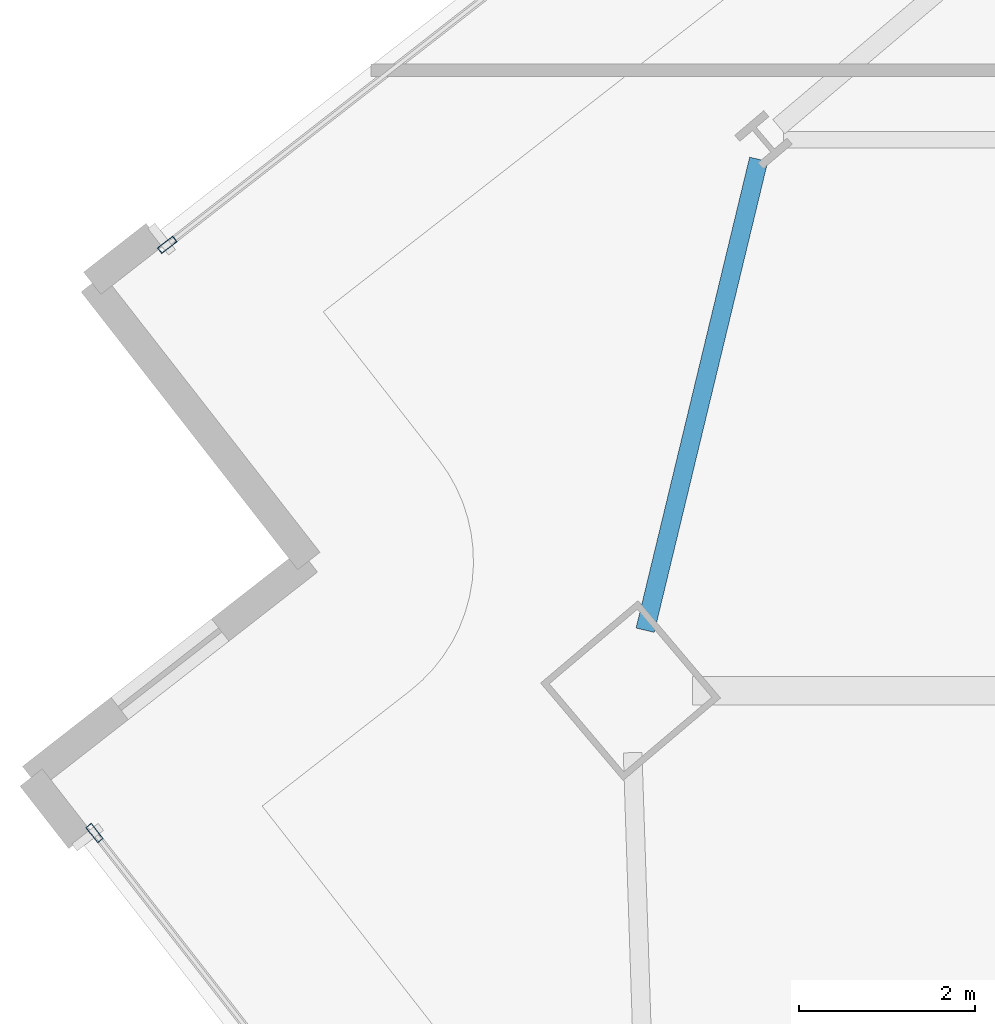
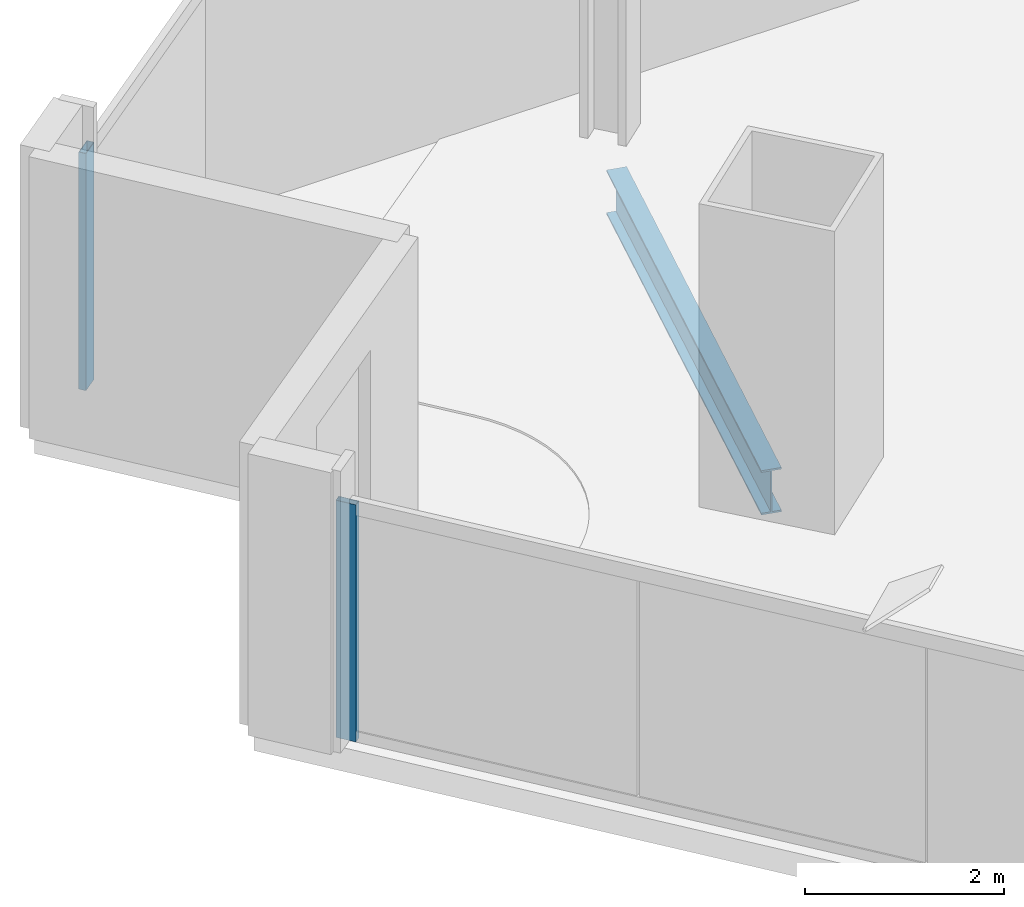
# One storey, part 12 of 32: 2 members, 1 beam, 2 elements without a shape of their own.
"""IFC4 building model written with IfcOpenShell, lengths in metres."""

from ifc_helpers import new_model, si_unit, direction, frame, origin, origin_2d, place, context, subcontext, project, spatial, hollow_rectangle, i_section, extrude, material, material_profile, profile_set, type_object, element, aggregate, save


model = new_model("IFC4")

# Units and contexts
model_context = context("Model", 3, precision=1e-05, world=origin(), true_north=direction((0.0, 1.0)))
body_context = subcontext(model_context, "Body", "Model", "MODEL_VIEW")
ifc_project = project(units=[si_unit("LENGTHUNIT", "METRE"), si_unit("AREAUNIT", "SQUARE_METRE"), si_unit("VOLUMEUNIT", "CUBIC_METRE"), si_unit("PLANEANGLEUNIT", "RADIAN"), si_unit("MASSUNIT", "GRAM", prefix="KILO")], contexts=[model_context])

# Site, building, storey
site_placement = place(None, origin())
site = spatial("IfcSite", under=ifc_project, at=site_placement, CompositionType="ELEMENT")
building_placement = place(site_placement, origin())
building = spatial("IfcBuilding", under=site, at=building_placement, Name="Haldenkirk Collegiate Tower", CompositionType="ELEMENT")
storey_placement = place(building_placement, frame((0.0, 0.0, 155.699951171875)))
storey = spatial("IfcBuildingStorey", under=building, at=storey_placement, Name="L38", CompositionType="ELEMENT", Elevation=155.699951171875)

# Beam
ifc_material_1 = material(Name="Steel ASTM A992 Grade 50", Category="steel")
ifc_material_profile_1 = material_profile(ifc_material_1, i_section(OverallWidth=0.2119140625, OverallDepth=0.5439453125, WebThickness=0.01318359375, FlangeThickness=0.021240234375, at=origin_2d()), Name="W21X83")
ifc_profile_set_1 = profile_set([ifc_material_profile_1], Name="Steel ASTM A992 Grade 50")
beam_type = type_object("IfcBeamType", Name="BM-SPANDREL-W21X83", PredefinedType="SPANDREL", material=ifc_profile_set_1)
beam_placement = place(storey_placement, frame((12.21630859375, 33.137451171875, -0.56201171875), z_axis=(-0.234477140293, -0.972121633686, 0.0), x_axis=(0.972121633686, -0.234477140293, 0.0)))
element("IfcBeam", 1, at=beam_placement, inside=storey, type_object=beam_type, Name="L38 perimeter spandrel beam 12", PredefinedType="SPANDREL", context=body_context, shape_type="SweptSolid", body=[
    extrude(i_section(OverallWidth=0.2119140625, OverallDepth=0.5439453125, WebThickness=0.01318359375, FlangeThickness=0.021240234375, at=origin_2d()), origin(), (0.0, 0.0, 1.0), 5.501708984375),
])

# Curtain wall, member
ifc_material_2 = material(Name="Anodised architectural bronze aluminium", Category="aluminium")
curtain_wall_type = type_object("IfcCurtainWallType", Name="CW-SYS1-CONVEX-LOW", PredefinedType="USERDEFINED", material=ifc_material_2)
curtain_wall_1_placement = place(storey_placement, origin())
curtain_wall_1 = element("IfcCurtainWall", 2, at=curtain_wall_1_placement, inside=storey, type_object=curtain_wall_type, Name="L38 Lower tower convex bronze-framed unitised curtain wall", ObjectType="UNITISED CURTAIN WALL", PredefinedType="USERDEFINED")
ifc_material_profile_2 = material_profile(ifc_material_2, hollow_rectangle(XDim=0.080078125, YDim=0.219970703125, WallThickness=0.0048828125, at=origin_2d()), Name="CW-MUL-1A")
ifc_profile_set_2 = profile_set([ifc_material_profile_2], Name="Anodised architectural bronze aluminium")
member_type = type_object("IfcMemberType", Name="CW-MUL-1A", PredefinedType="MULLION", material=ifc_profile_set_2)
member_1_placement = place(storey_placement, frame((5.498291015625, 32.166259765625, 0.0), z_axis=(0.0, 0.0, 1.0), x_axis=(-0.614973604921, 0.788547693707, 0.0)))
member_1 = element("IfcMember", 3, at=member_1_placement, type_object=member_type, Name="CW-1A mullion 1", PredefinedType="MULLION", context=body_context, shape_type="SweptSolid", body=[
    extrude(hollow_rectangle(XDim=0.080078125, YDim=0.219970703125, WallThickness=0.0048828125, at=origin_2d()), origin(), (0.0, 0.0, 1.0), 2.9111328125),
])
aggregate(curtain_wall_1, [member_1])

curtain_wall_2_placement = place(storey_placement, origin())
curtain_wall_2 = element("IfcCurtainWall", 4, at=curtain_wall_2_placement, inside=storey, type_object=curtain_wall_type, Name="L38 Lower tower convex bronze-framed unitised curtain wall", ObjectType="UNITISED CURTAIN WALL", PredefinedType="USERDEFINED")
member_2_placement = place(storey_placement, frame((4.672119140625, 25.4853515625, 0.0), z_axis=(0.0, 0.0, 1.0), x_axis=(-0.788547532235, -0.614973811968, 0.0)))
member_2 = element("IfcMember", 5, at=member_2_placement, type_object=member_type, Name="CW-1A mullion 5", PredefinedType="MULLION", context=body_context, shape_type="SweptSolid", body=[
    extrude(hollow_rectangle(XDim=0.080078125, YDim=0.219970703125, WallThickness=0.0048828125, at=origin_2d()), origin(), (0.0, 0.0, 1.0), 2.9111328125),
])
aggregate(curtain_wall_2, [member_2])

save(model, "model.ifc")
